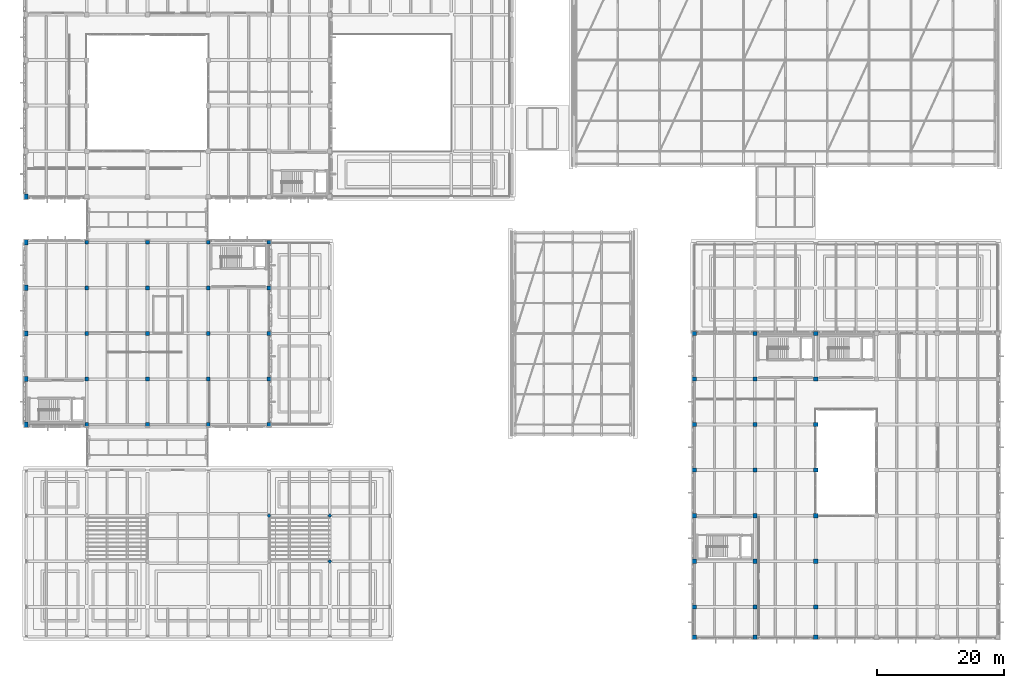
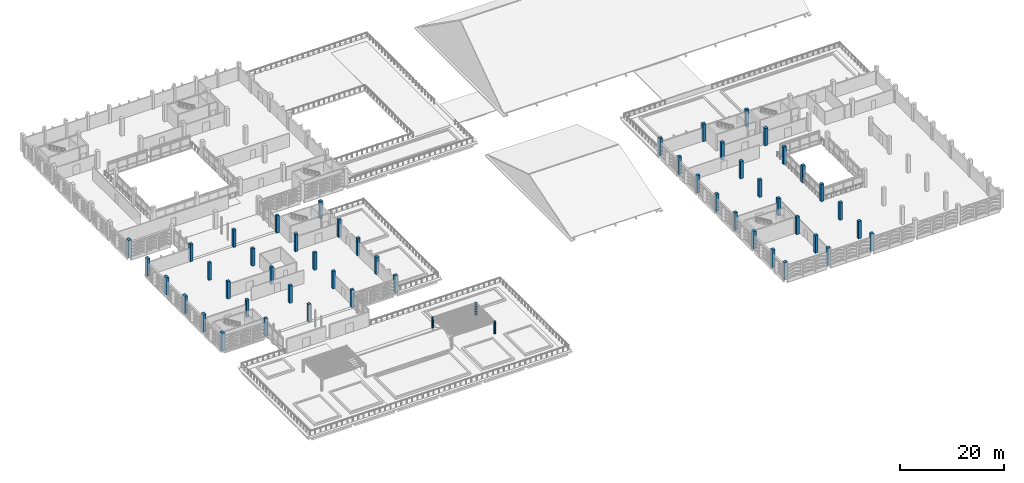
# One storey, part 2 of 134: 53 columns.
"""IFC4 building model written with IfcOpenShell, lengths in metres."""

import ifcopenshell
import ifcopenshell.guid

model = None  # the IFC model being written
_history = None  # IfcOwnerHistory: only IFC2X3 demands one
_inside = {}  # id of a spatial element -> (the spatial element, [elements in it])
_under = {}  # id of a project, library or spatial element -> (it, [spatial elements below it])
_declared = {}  # id of a project -> (the project, [libraries it declares])
_typed = {}  # id of a type object -> (the type object, [elements of that type])
_made_of = {}  # id of a material, layer set ... -> (it, [elements and type objects made of it])


def new_model(schema):
    """Start an empty IFC model of exactly this schema.

    Asked for "IFC4X3", IfcOpenShell would pick the latest addendum, in which some entities
    have other attributes; the version numbers below select the first issue.
    IFC2X3 requires an IfcOwnerHistory on every rooted entity: one is made here for all.
    """
    global model, _history
    if schema == "IFC4X3":
        model = ifcopenshell.file(schema_version=(4, 3, 0, 0))
    else:
        model = ifcopenshell.file(schema=schema)
    _inside.clear()
    _under.clear()
    _declared.clear()
    _typed.clear()
    _made_of.clear()
    _history = None
    if model.schema == "IFC2X3":
        org = make("IfcOrganization", Name="unknown")
        user = make(
            "IfcPersonAndOrganization",
            ThePerson=make("IfcPerson", FamilyName="unknown"),
            TheOrganization=org,
        )
        app = make(
            "IfcApplication",
            ApplicationDeveloper=org,
            Version="unknown",
            ApplicationFullName="unknown",
            ApplicationIdentifier="unknown",
        )
        _history = make(
            "IfcOwnerHistory",
            OwningUser=user,
            OwningApplication=app,
            ChangeAction="ADDED",
            CreationDate=0,
        )
    return model


def make(cls, **values):
    """One entity of the class cls with the attributes given. An attribute that is None is left unset."""
    return model.create_entity(
        cls, **{name: value for name, value in values.items() if value is not None}
    )


def rooted(cls, **values):
    """An entity with a GlobalId (a new one), such as an element, a storey or a relation."""
    return make(cls, GlobalId=ifcopenshell.guid.new(), OwnerHistory=_history, **values)


def si_unit(unit_type, name, prefix=None):
    """IfcSIUnit, for example si_unit("LENGTHUNIT", "METRE", prefix="MILLI")."""
    return make("IfcSIUnit", UnitType=unit_type, Prefix=prefix, Name=name)


def assignment(units):
    """IfcUnitAssignment: the units of a project."""
    return None if units is None else make("IfcUnitAssignment", Units=units)


def point(xyz):
    """IfcCartesianPoint."""
    return None if xyz is None else make("IfcCartesianPoint", Coordinates=xyz)


def direction(xyz):
    """IfcDirection."""
    return None if xyz is None else make("IfcDirection", DirectionRatios=xyz)


def frame(location, z_axis=None, x_axis=None):
    """IfcAxis2Placement3D, a coordinate frame: its origin and axes. An axis left out is left unset."""
    return make(
        "IfcAxis2Placement3D",
        Location=point(location),
        Axis=direction(z_axis),
        RefDirection=direction(x_axis),
    )


def frame_2d(location, x_axis=None):
    """IfcAxis2Placement2D, a coordinate frame in the plane: its origin and x axis."""
    return make(
        "IfcAxis2Placement2D", Location=point(location), RefDirection=direction(x_axis)
    )


def origin():
    """The frame at (0, 0, 0) with its axes left unset."""
    return frame((0.0, 0.0, 0.0))


def origin_2d():
    """The frame at (0, 0) in the plane with its x axis left unset."""
    return frame_2d((0.0, 0.0))


def place(relative_to, where):
    """IfcLocalPlacement: puts the frame where relative to a parent placement (None: the world)."""
    return make(
        "IfcLocalPlacement", PlacementRelTo=relative_to, RelativePlacement=where
    )


def context(
    kind, dimensions, precision=None, world=None, true_north=None, identifier=None
):
    """IfcGeometricRepresentationContext, for example the 3D "Model" context."""
    return make(
        "IfcGeometricRepresentationContext",
        ContextIdentifier=identifier,
        ContextType=kind,
        CoordinateSpaceDimension=dimensions,
        Precision=precision,
        WorldCoordinateSystem=world,
        TrueNorth=true_north,
    )


def subcontext(parent, identifier, kind, view, scale=None):
    """IfcGeometricRepresentationSubContext, for example "Body" below "Model"."""
    return make(
        "IfcGeometricRepresentationSubContext",
        ContextIdentifier=identifier,
        ContextType=kind,
        ParentContext=parent,
        TargetScale=scale,
        TargetView=view,
    )


def project(units=None, contexts=None):
    """IfcProject with its units and contexts."""
    return rooted(
        "IfcProject",
        Name="project",
        RepresentationContexts=contexts,
        UnitsInContext=assignment(units),
    )


def spatial(cls, under=None, at=None, **own):
    """A site, building, storey or space (cls), placed at a placement, below another one or the project."""
    s = rooted(cls, ObjectPlacement=at, **own)
    if under is not None:
        _under.setdefault(under.id(), (under, []))[1].append(s)
    return s


def profile(cls, at=None, kind="AREA", **sizes):
    """A parametric profile (cls). Its sizes go by their IFC names, for example OverallWidth=200.0."""
    return make(cls, ProfileType=kind, Position=at, **sizes)


def rectangle(**sizes):
    """IfcRectangleProfileDef."""
    return profile("IfcRectangleProfileDef", **sizes)


def circle(**sizes):
    """IfcCircleProfileDef."""
    return profile("IfcCircleProfileDef", **sizes)


def extrude(swept, where, along, depth):
    """IfcExtrudedAreaSolid: the profile swept, set in the frame where, extruded along a direction by depth."""
    return make(
        "IfcExtrudedAreaSolid",
        SweptArea=swept,
        Position=where,
        ExtrudedDirection=direction(along),
        Depth=depth,
    )


def shape(context_of_items, identifier, shape_type, items):
    """IfcShapeRepresentation: the items that make up one representation, for example the "Body"."""
    return make(
        "IfcShapeRepresentation",
        ContextOfItems=context_of_items,
        RepresentationIdentifier=identifier,
        RepresentationType=shape_type,
        Items=items,
    )


def material(Name=None, Category=None):
    """IfcMaterial."""
    return make("IfcMaterial", Name=Name, Category=Category)


def material_profile(
    of_material, cross_section, Name=None, Category=None, Priority=None
):
    """IfcMaterialProfile: a cross section and its material."""
    return make(
        "IfcMaterialProfile",
        Name=Name,
        Material=of_material,
        Profile=cross_section,
        Priority=Priority,
        Category=Category,
    )


def profile_set(profiles, Name=None, composite=None):
    """IfcMaterialProfileSet."""
    return make(
        "IfcMaterialProfileSet",
        Name=Name,
        MaterialProfiles=profiles,
        CompositeProfile=composite,
    )


def made_of(thing, what):
    """Note that an element or type object is made of a material, layer set ...; save() writes the relation."""
    if what is not None:
        _made_of.setdefault(what.id(), (what, []))[1].append(thing)
    return thing


def type_object(cls, material=None, **own):
    """A type object (cls), such as IfcWallType, which elements share."""
    return made_of(rooted(cls, **own), material)


def element(
    cls,
    number,
    at=None,
    inside=None,
    cuts=None,
    type_object=None,
    material=None,
    context=None,
    identifier="Body",
    shape_type=None,
    held_by="IfcProductDefinitionShape",
    body=None,
    shapes=None,
    **own,
):
    """One element of the class cls, such as IfcWall. Its Tag is "e" and its number.

    at: its placement. inside: the storey or other place that contains it. cuts: it is an
    opening in that element (IfcRelVoidsElement). A single representation is given by context,
    identifier, shape_type and body (its items); several are given by shapes. held_by: the class
    of the entity that holds the representations. save() writes the other relations.
    """
    e = rooted(cls, Tag="e%d" % number, ObjectPlacement=at, **own)
    if body is not None:
        shapes = [shape(context, identifier, shape_type, body)]
    if shapes is not None:
        e.Representation = make(held_by, Representations=shapes)
    if inside is not None:
        _inside.setdefault(inside.id(), (inside, []))[1].append(e)
    if cuts is not None:
        rooted(
            "IfcRelVoidsElement", RelatingBuildingElement=cuts, RelatedOpeningElement=e
        )
    if type_object is not None:
        _typed.setdefault(type_object.id(), (type_object, []))[1].append(e)
    return made_of(e, material)


def aggregate(whole, parts):
    """IfcRelAggregates: a whole, such as a stair, and the parts it consists of."""
    return rooted("IfcRelAggregates", RelatingObject=whole, RelatedObjects=parts)


def save(model, path):
    """Write the relations noted so far, then the file.

    IfcRelAggregates (storeys below a building ...), IfcRelContainedInSpatialStructure (elements
    in a storey), IfcRelDefinesByType, IfcRelAssociatesMaterial and IfcRelDeclares: one each for
    every whole, place, type object, material and project.
    """
    for whole, parts in _under.values():
        aggregate(whole, parts)
    for where, things in _inside.values():
        rooted(
            "IfcRelContainedInSpatialStructure",
            RelatedElements=things,
            RelatingStructure=where,
        )
    for kind, things in _typed.values():
        rooted("IfcRelDefinesByType", RelatedObjects=things, RelatingType=kind)
    for what, things in _made_of.values():
        rooted("IfcRelAssociatesMaterial", RelatedObjects=things, RelatingMaterial=what)
    for by, libraries in _declared.values():
        rooted("IfcRelDeclares", RelatingContext=by, RelatedDefinitions=libraries)
    model.write(path)


model = new_model("IFC4")

# Units and contexts
model_context = context("Model", 3, precision=1e-05, world=origin(), true_north=direction((0.0, 1.0)))
body_context = subcontext(model_context, "Body", "Model", "MODEL_VIEW")
ifc_project = project(units=[si_unit("LENGTHUNIT", "METRE"), si_unit("AREAUNIT", "SQUARE_METRE"), si_unit("VOLUMEUNIT", "CUBIC_METRE"), si_unit("PLANEANGLEUNIT", "RADIAN"), si_unit("MASSUNIT", "GRAM", prefix="KILO")], contexts=[model_context])

# Site, building, storey
site_placement = place(None, origin())
site = spatial("IfcSite", under=ifc_project, at=site_placement, CompositionType="ELEMENT")
building_placement = place(site_placement, origin())
building = spatial("IfcBuilding", under=site, at=building_placement, Name="Asteropetra Specialist Clinic", CompositionType="ELEMENT")
storey_placement = place(building_placement, frame((0.0, 0.0, 8.5)))
storey = spatial("IfcBuildingStorey", under=building, at=storey_placement, Name="L02", CompositionType="ELEMENT", Elevation=8.5)

# Columns
ifc_material_1 = material(Name="Concrete C35/45", Category="concrete")
ifc_material_profile_1 = material_profile(ifc_material_1, rectangle(XDim=0.60009765625, YDim=0.60009765625, at=origin_2d()), Name="RC 600x600")
ifc_profile_set_1 = profile_set([ifc_material_profile_1], Name="Concrete C35/45")
column_type_1 = type_object("IfcColumnType", Name="COL-RC600", PredefinedType="COLUMN", material=ifc_profile_set_1)
for number, where, z_axis, x_axis, name in (
    (1, (9.60009765625, 33.60009765625, 0.0), (0.0, 0.0, 1.0), (1.0, 0.0, 0.0), "Column CCOL05-0099"),
    (2, (9.60009765625, 40.800048828125, 0.0), (0.0, 0.0, 1.0), (1.0, 0.0, 0.0), "Column CCOL05-0104"),
    (3, (9.60009765625, 48.0, 0.0), (0.0, 0.0, 1.0), (1.0, 0.0, 0.0), "Column CCOL05-0109"),
    (4, (9.60009765625, 55.199951171875, 0.0), (0.0, 0.0, 1.0), (1.0, 0.0, 0.0), "Column CCOL05-0114"),
    (5, (9.60009765625, 62.39990234375, 0.0), (0.0, 0.0, 1.0), (1.0, 0.0, 0.0), "Column CCOL05-0119"),
    (6, (19.199951171875, 33.60009765625, 0.0), (0.0, 0.0, 1.0), (1.0, 0.0, 0.0), "Column CCOL05-0203"),
    (7, (19.199951171875, 40.800048828125, 0.0), (0.0, 0.0, 1.0), (1.0, 0.0, 0.0), "Column CCOL05-0208"),
    (8, (19.199951171875, 48.0, 0.0), (0.0, 0.0, 1.0), (1.0, 0.0, 0.0), "Column CCOL05-0213"),
    (9, (19.199951171875, 55.199951171875, 0.0), (0.0, 0.0, 1.0), (1.0, 0.0, 0.0), "Column CCOL05-0218"),
    (10, (19.199951171875, 62.39990234375, 0.0), (0.0, 0.0, 1.0), (1.0, 0.0, 0.0), "Column CCOL05-0223"),
    (11, (28.800048828125, 33.60009765625, 0.0), (0.0, 0.0, 1.0), (1.0, 0.0, 0.0), "Column CCOL05-0295"),
    (12, (28.800048828125, 40.800048828125, 0.0), (0.0, 0.0, 1.0), (1.0, 0.0, 0.0), "Column CCOL05-0300"),
    (13, (28.800048828125, 48.0, 0.0), (0.0, 0.0, 1.0), (1.0, 0.0, 0.0), "Column CCOL05-0305"),
    (14, (28.800048828125, 55.199951171875, 0.0), (0.0, 0.0, 1.0), (1.0, 0.0, 0.0), "Column CCOL05-0310"),
    (15, (28.800048828125, 62.39990234375, 0.0), (0.0, 0.0, 1.0), (1.0, 0.0, 0.0), "Column CCOL05-0315"),
    (16, (38.39990234375, 33.60009765625, 0.0), (0.0, 0.0, 1.0), (1.0, 0.0, 0.0), "Column CCOL05-0375"),
    (17, (38.39990234375, 40.800048828125, 0.0), (0.0, 0.0, 1.0), (1.0, 0.0, 0.0), "Column CCOL05-0380"),
    (18, (38.39990234375, 48.0, 0.0), (0.0, 0.0, 1.0), (1.0, 0.0, 0.0), "Column CCOL05-0385"),
    (19, (38.39990234375, 55.199951171875, 0.0), (0.0, 0.0, 1.0), (1.0, 0.0, 0.0), "Column CCOL05-0390"),
    (20, (38.39990234375, 62.39990234375, 0.0), (0.0, 0.0, 1.0), (1.0, 0.0, 0.0), "Column CCOL05-0395"),
):
    element("IfcColumn", number, at=place(storey_placement, frame(where, z_axis=z_axis, x_axis=x_axis)), inside=storey, type_object=column_type_1, Name=name, PredefinedType="COLUMN", context=body_context, shape_type="SweptSolid", body=[
        extrude(rectangle(XDim=0.60009765625, YDim=0.60009765625, at=origin_2d()), origin(), (0.0, 0.0, 1.0), 4.080078125),
    ])
ifc_material_2 = material(Name="Concrete C35/45", Category="concrete")
ifc_material_profile_2 = material_profile(ifc_material_2, rectangle(XDim=0.60009765625, YDim=0.85009765625, at=origin_2d()), Name="RC 600x850")
ifc_profile_set_2 = profile_set([ifc_material_profile_2], Name="Concrete C35/45")
column_type_2 = type_object("IfcColumnType", Name="COL-RC600x850", PredefinedType="COLUMN", material=ifc_profile_set_2)
for number, where, z_axis, x_axis, name in (
    (21, (0.0, 33.60009765625, 0.0), (0.0, 0.0, 1.0), (1.0, 0.0, 0.0), "Column CCOL09-0019"),
    (22, (0.0, 40.800048828125, 0.0), (0.0, 0.0, 1.0), (1.0, 0.0, 0.0), "Column CCOL09-0024"),
    (23, (0.0, 48.0, 0.0), (0.0, 0.0, 1.0), (1.0, 0.0, 0.0), "Column CCOL09-0029"),
    (24, (0.0, 55.199951171875, 0.0), (0.0, 0.0, 1.0), (1.0, 0.0, 0.0), "Column CCOL09-0034"),
    (25, (0.0, 62.39990234375, 0.0), (0.0, 0.0, 1.0), (1.0, 0.0, 0.0), "Column CCOL09-0039"),
    (26, (0.0, 69.60009765625, 0.0), (0.0, 0.0, 1.0), (1.0, 0.0, 0.0), "Column CCOL09-0043"),
):
    element("IfcColumn", number, at=place(storey_placement, frame(where, z_axis=z_axis, x_axis=x_axis)), inside=storey, type_object=column_type_2, Name=name, PredefinedType="COLUMN", context=body_context, shape_type="SweptSolid", body=[
        extrude(rectangle(XDim=0.60009765625, YDim=0.85009765625, at=origin_2d()), origin(), (0.0, 0.0, 1.0), 4.080078125),
    ])
ifc_material_3 = material(Name="Concrete C35/45", Category="concrete")
ifc_material_profile_3 = material_profile(ifc_material_3, rectangle(XDim=0.64990234375, YDim=0.64990234375, at=origin_2d()), Name="RC 650x650")
ifc_profile_set_3 = profile_set([ifc_material_profile_3], Name="Concrete C35/45")
column_type_3 = type_object("IfcColumnType", Name="COL-RC650", PredefinedType="COLUMN", material=ifc_profile_set_3)
for number, where, z_axis, x_axis, name in (
    (27, (105.60009765625, 0.0, 0.0), (0.0, 0.0, 1.0), (1.0, 0.0, 0.0), "Column CCOL04-0636"),
    (28, (105.60009765625, 4.800048828125, 0.0), (0.0, 0.0, 1.0), (1.0, 0.0, 0.0), "Column CCOL04-0641"),
    (29, (105.60009765625, 12.0, 0.0), (0.0, 0.0, 1.0), (1.0, 0.0, 0.0), "Column CCOL04-0646"),
    (30, (105.60009765625, 19.199951171875, 0.0), (0.0, 0.0, 1.0), (1.0, 0.0, 0.0), "Column CCOL04-0651"),
    (31, (105.60009765625, 26.39990234375, 0.0), (0.0, 0.0, 1.0), (1.0, 0.0, 0.0), "Column CCOL04-0656"),
    (32, (105.60009765625, 33.60009765625, 0.0), (0.0, 0.0, 1.0), (1.0, 0.0, 0.0), "Column CCOL04-0661"),
    (33, (105.60009765625, 40.800048828125, 0.0), (0.0, 0.0, 1.0), (1.0, 0.0, 0.0), "Column CCOL04-0666"),
    (34, (105.60009765625, 48.0, 0.0), (0.0, 0.0, 1.0), (1.0, 0.0, 0.0), "Column CCOL04-0671"),
    (35, (115.199951171875, 0.0, 0.0), (0.0, 0.0, 1.0), (1.0, 0.0, 0.0), "Column CCOL04-0686"),
    (36, (115.199951171875, 4.800048828125, 0.0), (0.0, 0.0, 1.0), (1.0, 0.0, 0.0), "Column CCOL04-0691"),
    (37, (115.199951171875, 12.0, 0.0), (0.0, 0.0, 1.0), (1.0, 0.0, 0.0), "Column CCOL04-0696"),
    (38, (115.199951171875, 19.199951171875, 0.0), (0.0, 0.0, 1.0), (1.0, 0.0, 0.0), "Column CCOL04-0701"),
    (39, (115.199951171875, 26.39990234375, 0.0), (0.0, 0.0, 1.0), (1.0, 0.0, 0.0), "Column CCOL04-0706"),
    (40, (115.199951171875, 33.60009765625, 0.0), (0.0, 0.0, 1.0), (1.0, 0.0, 0.0), "Column CCOL04-0711"),
    (41, (115.199951171875, 40.800048828125, 0.0), (0.0, 0.0, 1.0), (1.0, 0.0, 0.0), "Column CCOL04-0716"),
    (42, (115.199951171875, 48.0, 0.0), (0.0, 0.0, 1.0), (1.0, 0.0, 0.0), "Column CCOL04-0721"),
    (43, (124.800048828125, 0.0, 0.0), (0.0, 0.0, 1.0), (1.0, 0.0, 0.0), "Column CCOL04-0748"),
    (44, (124.800048828125, 4.800048828125, 0.0), (0.0, 0.0, 1.0), (1.0, 0.0, 0.0), "Column CCOL04-0753"),
    (45, (124.800048828125, 12.0, 0.0), (0.0, 0.0, 1.0), (1.0, 0.0, 0.0), "Column CCOL04-0758"),
    (46, (124.800048828125, 19.199951171875, 0.0), (0.0, 0.0, 1.0), (1.0, 0.0, 0.0), "Column CCOL04-0763"),
    (47, (124.800048828125, 26.39990234375, 0.0), (0.0, 0.0, 1.0), (1.0, 0.0, 0.0), "Column CCOL04-0768"),
    (48, (124.800048828125, 33.60009765625, 0.0), (0.0, 0.0, 1.0), (1.0, 0.0, 0.0), "Column CCOL04-0773"),
    (49, (124.800048828125, 40.800048828125, 0.0), (0.0, 0.0, 1.0), (1.0, 0.0, 0.0), "Column CCOL04-0778"),
    (50, (124.800048828125, 48.0, 0.0), (0.0, 0.0, 1.0), (1.0, 0.0, 0.0), "Column CCOL04-0783"),
):
    element("IfcColumn", number, at=place(storey_placement, frame(where, z_axis=z_axis, x_axis=x_axis)), inside=storey, type_object=column_type_3, Name=name, PredefinedType="COLUMN", context=body_context, shape_type="SweptSolid", body=[
        extrude(rectangle(XDim=0.64990234375, YDim=0.64990234375, at=origin_2d()), origin(), (0.0, 0.0, 1.0), 4.080078125),
    ])
ifc_material_4 = material(Name="Concrete C35/45", Category="concrete")
ifc_material_profile_4 = material_profile(ifc_material_4, circle(Radius=0.25, at=origin_2d()), Name="RCC D500")
ifc_profile_set_4 = profile_set([ifc_material_profile_4], Name="Concrete C35/45")
column_type_4 = type_object("IfcColumnType", Name="COL-STOA500", PredefinedType="COLUMN", material=ifc_profile_set_4)
for number, where, z_axis, x_axis, name in (
    (51, (38.39990234375, 19.199951171875, 0.0), (0.0, 0.0, 1.0), (1.0, 0.0, 0.0), "Terrace Pergola Column CPG-06"),
    (52, (48.0, 12.0, 0.0), (0.0, 0.0, 1.0), (1.0, 0.0, 0.0), "Terrace Pergola Column CPG-07"),
    (53, (48.0, 19.199951171875, 0.0), (0.0, 0.0, 1.0), (1.0, 0.0, 0.0), "Terrace Pergola Column CPG-08"),
):
    element("IfcColumn", number, at=place(storey_placement, frame(where, z_axis=z_axis, x_axis=x_axis)), inside=storey, type_object=column_type_4, Name=name, PredefinedType="COLUMN", context=body_context, shape_type="SweptSolid", body=[
        extrude(circle(Radius=0.25, at=origin_2d()), origin(), (0.0, 0.0, 1.0), 2.89990234375),
    ])

save(model, "model.ifc")
